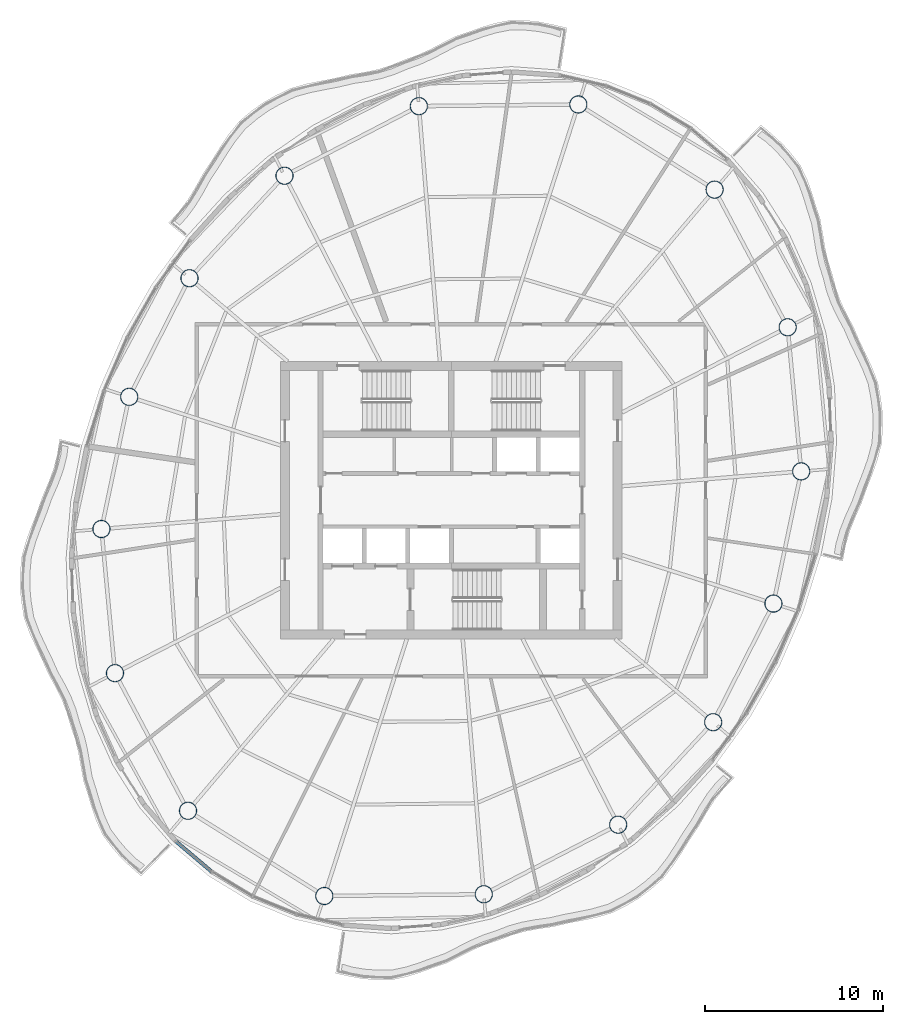
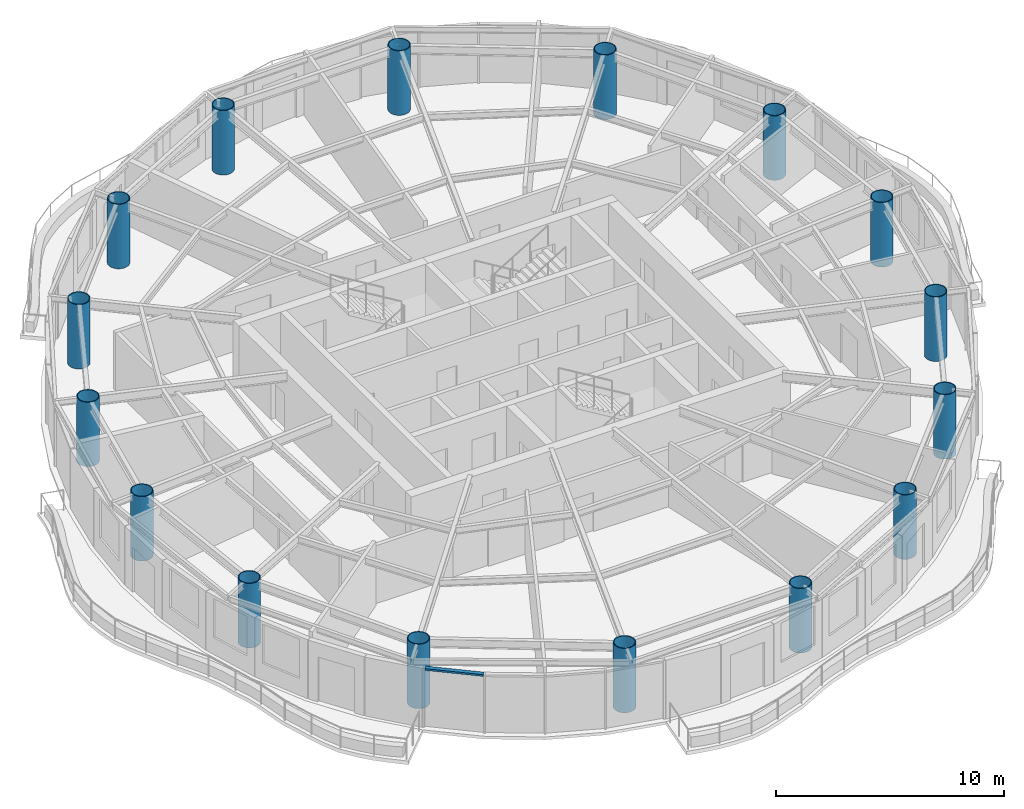
# One storey, part 1 of 13: 16 columns, 1 member, 1 element without a shape of its own.
"""IFC4 building model written with IfcOpenShell, lengths in metres."""

from ifc_helpers import new_model, si_unit, direction, frame, origin, origin_2d, place, context, subcontext, project, spatial, rectangle, hollow_circle, extrude, material, material_profile, profile_set, type_object, element, aggregate, save


model = new_model("IFC4")

# Units and contexts
model_context = context("Model", 3, precision=1e-05, world=origin(), true_north=direction((0.0, 1.0)))
body_context = subcontext(model_context, "Body", "Model", "MODEL_VIEW")
ifc_project = project(units=[si_unit("LENGTHUNIT", "METRE"), si_unit("AREAUNIT", "SQUARE_METRE"), si_unit("VOLUMEUNIT", "CUBIC_METRE"), si_unit("PLANEANGLEUNIT", "RADIAN"), si_unit("MASSUNIT", "GRAM", prefix="KILO")], contexts=[model_context])

# Site, building, storey
site_placement = place(None, origin())
site = spatial("IfcSite", under=ifc_project, at=site_placement, CompositionType="ELEMENT")
building_placement = place(site_placement, origin())
building = spatial("IfcBuilding", under=site, at=building_placement, Name="Vermilion Reach Broadcast Tower", CompositionType="ELEMENT")
storey_placement = place(building_placement, frame((0.0, 0.0, 286.5)))
storey = spatial("IfcBuildingStorey", under=building, at=storey_placement, Name="L71", CompositionType="ELEMENT", Elevation=286.5)

# Columns
ifc_material_1 = material(Name="Concrete C60 infill in steel S460NL tube", Category="concrete")
ifc_material_profile_1 = material_profile(ifc_material_1, hollow_circle(Radius=0.5, WallThickness=0.0400390625, at=origin_2d()), Name="Concrete C60 infill in steel S460NL tube CFT 1000x40")
ifc_profile_set_1 = profile_set([ifc_material_profile_1], Name="Concrete C60 infill in steel S460NL tube")
column_type = type_object("IfcColumnType", Name="MC5 CFT 1000x40", PredefinedType="COLUMN", material=ifc_profile_set_1)
for number, where, z_axis, x_axis, name in (
    (1, (1.138427734375, 22.2470703125, 0.0), (0.0, 0.0, 1.0), (1.0, 0.0, 0.0), "Mega-column MC5-01"),
    (2, (-7.824951171875, 22.1494140625, 0.0), (0.0, 0.0, 1.0), (1.0, 0.0, 0.0), "Mega-column MC5-02"),
    (3, (-15.376953125, 18.23779296875, 0.0), (0.0, 0.0, 1.0), (1.0, 0.0, 0.0), "Mega-column MC5-03"),
    (4, (-20.717529296875, 12.476806640625, 0.0), (0.0, 0.0, 1.0), (1.0, 0.0, 0.0), "Mega-column MC5-04"),
    (5, (-24.10595703125, 5.809814453125, 0.0), (0.0, 0.0, 1.0), (1.0, 0.0, 0.0), "Mega-column MC5-05"),
    (6, (-25.665771484375, -1.620361328125, 0.0), (0.0, 0.0, 1.0), (1.0, 0.0, 0.0), "Mega-column MC5-06"),
    (7, (-24.905517578125, -9.72021484375, 0.0), (0.0, 0.0, 1.0), (1.0, 0.0, 0.0), "Mega-column MC5-07"),
    (8, (-20.799560546875, -17.457275390625, 0.0), (0.0, 0.0, 1.0), (1.0, 0.0, 0.0), "Mega-column MC5-08"),
    (9, (-13.138427734375, -22.2470703125, 0.0), (0.0, 0.0, 1.0), (1.0, 0.0, 0.0), "Mega-column MC5-09"),
    (10, (-4.175048828125, -22.1494140625, 0.0), (0.0, 0.0, 1.0), (1.0, 0.0, 0.0), "Mega-column MC5-10"),
    (11, (3.376953125, -18.23779296875, 0.0), (0.0, 0.0, 1.0), (1.0, 0.0, 0.0), "Mega-column MC5-11"),
    (12, (8.717529296875, -12.476806640625, 0.0), (0.0, 0.0, 1.0), (1.0, 0.0, 0.0), "Mega-column MC5-12"),
    (13, (12.10595703125, -5.809814453125, 0.0), (0.0, 0.0, 1.0), (1.0, 0.0, 0.0), "Mega-column MC5-13"),
    (14, (13.665771484375, 1.620361328125, 0.0), (0.0, 0.0, 1.0), (1.0, 0.0, 0.0), "Mega-column MC5-14"),
    (15, (12.905517578125, 9.72021484375, 0.0), (0.0, 0.0, 1.0), (1.0, 0.0, 0.0), "Mega-column MC5-15"),
    (16, (8.799560546875, 17.457275390625, 0.0), (0.0, 0.0, 1.0), (1.0, 0.0, 0.0), "Mega-column MC5-16"),
):
    element("IfcColumn", number, at=place(storey_placement, frame(where, z_axis=z_axis, x_axis=x_axis)), inside=storey, type_object=column_type, Name=name, PredefinedType="COLUMN", context=body_context, shape_type="SweptSolid", body=[
        extrude(hollow_circle(Radius=0.5, WallThickness=0.0400390625, at=origin_2d()), origin(), (0.0, 0.0, 1.0), 3.449951171875),
    ])

# Curtain wall, member
ifc_material_2 = material(Name="Low-e laminated clear glass in aluminium frame", Category="aluminium")
curtain_wall_type = type_object("IfcCurtainWallType", Name="Slot curtain wall", PredefinedType="NOTDEFINED", material=ifc_material_2)
curtain_wall_placement = place(storey_placement, origin())
curtain_wall = element("IfcCurtainWall", 17, at=curtain_wall_placement, inside=storey, type_object=curtain_wall_type, Name="Slot curtain wall L71 22", PredefinedType="NOTDEFINED")
ifc_material_3 = material(Name="Anodised aluminium", Category="aluminium")
ifc_material_profile_2 = material_profile(ifc_material_3, rectangle(XDim=0.199951171875, YDim=0.10009765625, at=origin_2d()), Name="Slot transom 200 x 100")
ifc_profile_set_2 = profile_set([ifc_material_profile_2], Name="Anodised aluminium")
member_type = type_object("IfcMemberType", Name="Slot transom 200 x 100", PredefinedType="USERDEFINED", material=ifc_profile_set_2)
member_placement = place(storey_placement, frame((-21.462646484375, -19.189697265625, 3.10009765625), z_axis=(0.762855583911, -0.646568912102, 0.0), x_axis=(0.646568912102, 0.762855583911, 0.0)))
member = element("IfcMember", 18, at=member_placement, type_object=member_type, Name="Slot transom L71 22.1", ObjectType="TRANSOM", PredefinedType="USERDEFINED", context=body_context, shape_type="SweptSolid", body=[
    extrude(rectangle(XDim=0.199951171875, YDim=0.10009765625, at=origin_2d()), origin(), (0.0, 0.0, 1.0), 2.601318359375),
])
aggregate(curtain_wall, [member])

save(model, "model.ifc")
